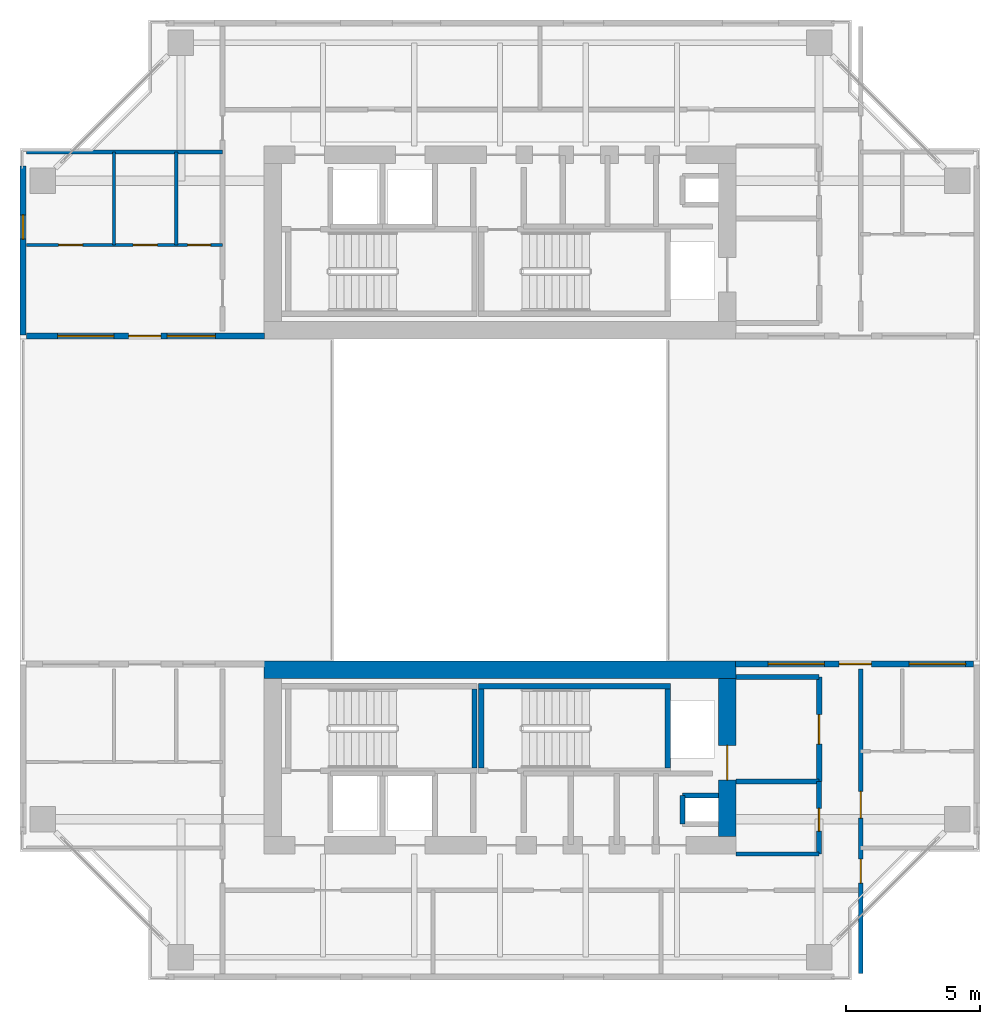
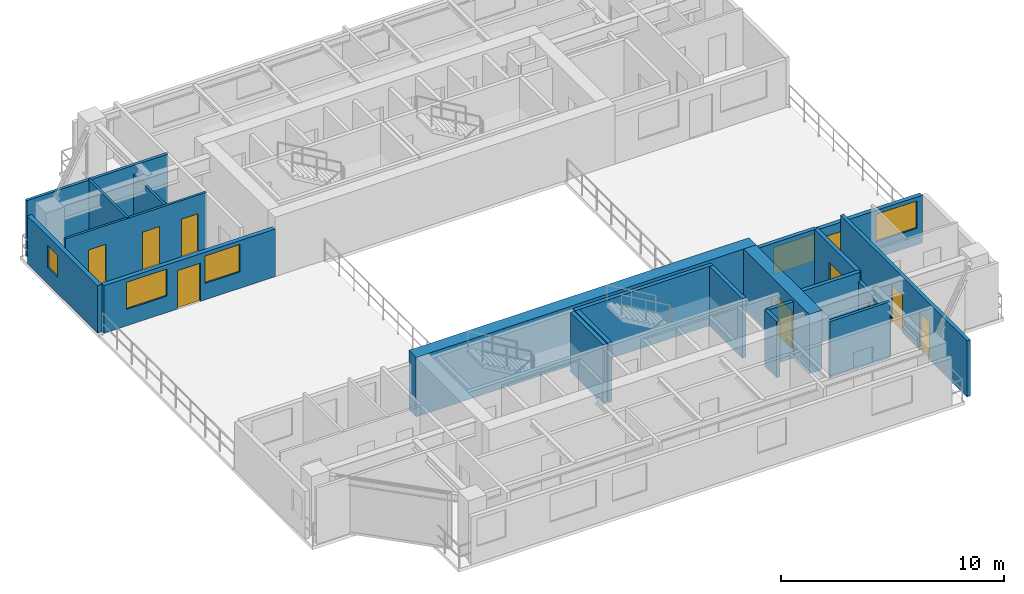
# One storey, part 8 of 14: 21 walls, 10 doors, 5 windows, 15 openings.
"""IFC4 building model written with IfcOpenShell, lengths in metres."""

import ifcopenshell
import ifcopenshell.guid

model = None  # the IFC model being written
_history = None  # IfcOwnerHistory: only IFC2X3 demands one
_inside = {}  # id of a spatial element -> (the spatial element, [elements in it])
_under = {}  # id of a project, library or spatial element -> (it, [spatial elements below it])
_declared = {}  # id of a project -> (the project, [libraries it declares])
_typed = {}  # id of a type object -> (the type object, [elements of that type])
_made_of = {}  # id of a material, layer set ... -> (it, [elements and type objects made of it])


def new_model(schema):
    """Start an empty IFC model of exactly this schema.

    Asked for "IFC4X3", IfcOpenShell would pick the latest addendum, in which some entities
    have other attributes; the version numbers below select the first issue.
    IFC2X3 requires an IfcOwnerHistory on every rooted entity: one is made here for all.
    """
    global model, _history
    if schema == "IFC4X3":
        model = ifcopenshell.file(schema_version=(4, 3, 0, 0))
    else:
        model = ifcopenshell.file(schema=schema)
    _inside.clear()
    _under.clear()
    _declared.clear()
    _typed.clear()
    _made_of.clear()
    _history = None
    if model.schema == "IFC2X3":
        org = make("IfcOrganization", Name="unknown")
        user = make(
            "IfcPersonAndOrganization",
            ThePerson=make("IfcPerson", FamilyName="unknown"),
            TheOrganization=org,
        )
        app = make(
            "IfcApplication",
            ApplicationDeveloper=org,
            Version="unknown",
            ApplicationFullName="unknown",
            ApplicationIdentifier="unknown",
        )
        _history = make(
            "IfcOwnerHistory",
            OwningUser=user,
            OwningApplication=app,
            ChangeAction="ADDED",
            CreationDate=0,
        )
    return model


def make(cls, **values):
    """One entity of the class cls with the attributes given. An attribute that is None is left unset."""
    return model.create_entity(
        cls, **{name: value for name, value in values.items() if value is not None}
    )


def rooted(cls, **values):
    """An entity with a GlobalId (a new one), such as an element, a storey or a relation."""
    return make(cls, GlobalId=ifcopenshell.guid.new(), OwnerHistory=_history, **values)


def si_unit(unit_type, name, prefix=None):
    """IfcSIUnit, for example si_unit("LENGTHUNIT", "METRE", prefix="MILLI")."""
    return make("IfcSIUnit", UnitType=unit_type, Prefix=prefix, Name=name)


def assignment(units):
    """IfcUnitAssignment: the units of a project."""
    return None if units is None else make("IfcUnitAssignment", Units=units)


def point(xyz):
    """IfcCartesianPoint."""
    return None if xyz is None else make("IfcCartesianPoint", Coordinates=xyz)


def direction(xyz):
    """IfcDirection."""
    return None if xyz is None else make("IfcDirection", DirectionRatios=xyz)


def frame(location, z_axis=None, x_axis=None):
    """IfcAxis2Placement3D, a coordinate frame: its origin and axes. An axis left out is left unset."""
    return make(
        "IfcAxis2Placement3D",
        Location=point(location),
        Axis=direction(z_axis),
        RefDirection=direction(x_axis),
    )


def frame_2d(location, x_axis=None):
    """IfcAxis2Placement2D, a coordinate frame in the plane: its origin and x axis."""
    return make(
        "IfcAxis2Placement2D", Location=point(location), RefDirection=direction(x_axis)
    )


def origin():
    """The frame at (0, 0, 0) with its axes left unset."""
    return frame((0.0, 0.0, 0.0))


def place(relative_to, where):
    """IfcLocalPlacement: puts the frame where relative to a parent placement (None: the world)."""
    return make(
        "IfcLocalPlacement", PlacementRelTo=relative_to, RelativePlacement=where
    )


def context(
    kind, dimensions, precision=None, world=None, true_north=None, identifier=None
):
    """IfcGeometricRepresentationContext, for example the 3D "Model" context."""
    return make(
        "IfcGeometricRepresentationContext",
        ContextIdentifier=identifier,
        ContextType=kind,
        CoordinateSpaceDimension=dimensions,
        Precision=precision,
        WorldCoordinateSystem=world,
        TrueNorth=true_north,
    )


def subcontext(parent, identifier, kind, view, scale=None):
    """IfcGeometricRepresentationSubContext, for example "Body" below "Model"."""
    return make(
        "IfcGeometricRepresentationSubContext",
        ContextIdentifier=identifier,
        ContextType=kind,
        ParentContext=parent,
        TargetScale=scale,
        TargetView=view,
    )


def project(units=None, contexts=None):
    """IfcProject with its units and contexts."""
    return rooted(
        "IfcProject",
        Name="project",
        RepresentationContexts=contexts,
        UnitsInContext=assignment(units),
    )


def spatial(cls, under=None, at=None, **own):
    """A site, building, storey or space (cls), placed at a placement, below another one or the project."""
    s = rooted(cls, ObjectPlacement=at, **own)
    if under is not None:
        _under.setdefault(under.id(), (under, []))[1].append(s)
    return s


def profile(cls, at=None, kind="AREA", **sizes):
    """A parametric profile (cls). Its sizes go by their IFC names, for example OverallWidth=200.0."""
    return make(cls, ProfileType=kind, Position=at, **sizes)


def rectangle(**sizes):
    """IfcRectangleProfileDef."""
    return profile("IfcRectangleProfileDef", **sizes)


def extrude(swept, where, along, depth):
    """IfcExtrudedAreaSolid: the profile swept, set in the frame where, extruded along a direction by depth."""
    return make(
        "IfcExtrudedAreaSolid",
        SweptArea=swept,
        Position=where,
        ExtrudedDirection=direction(along),
        Depth=depth,
    )


def shape(context_of_items, identifier, shape_type, items):
    """IfcShapeRepresentation: the items that make up one representation, for example the "Body"."""
    return make(
        "IfcShapeRepresentation",
        ContextOfItems=context_of_items,
        RepresentationIdentifier=identifier,
        RepresentationType=shape_type,
        Items=items,
    )


def source(mapping_origin, context_of_items, identifier, shape_type, items):
    """IfcRepresentationMap: a shape defined once, which mapped items show again and again."""
    return make(
        "IfcRepresentationMap",
        MappingOrigin=mapping_origin,
        MappedRepresentation=shape(context_of_items, identifier, shape_type, items),
    )


def transform(
    local_origin,
    x_axis=None,
    y_axis=None,
    z_axis=None,
    scale=None,
    scale2=None,
    scale3=None,
    uniform=True,
):
    """IfcCartesianTransformationOperator3D, or its non-uniform kind. x_axis, y_axis, z_axis: its Axis1, 2, 3."""
    if uniform:
        return make(
            "IfcCartesianTransformationOperator3D",
            Axis1=direction(x_axis),
            Axis2=direction(y_axis),
            LocalOrigin=point(local_origin),
            Scale=scale,
            Axis3=direction(z_axis),
        )
    return make(
        "IfcCartesianTransformationOperator3DnonUniform",
        Axis1=direction(x_axis),
        Axis2=direction(y_axis),
        LocalOrigin=point(local_origin),
        Scale=scale,
        Axis3=direction(z_axis),
        Scale2=scale2,
        Scale3=scale3,
    )


def mapped(mapping_source, mapping_target):
    """IfcMappedItem: shows the shape of a source again, moved by a transform."""
    return make(
        "IfcMappedItem", MappingSource=mapping_source, MappingTarget=mapping_target
    )


def material(Name=None, Category=None):
    """IfcMaterial."""
    return make("IfcMaterial", Name=Name, Category=Category)


def layer(
    of_material, thickness, ventilated=None, Name=None, Category=None, Priority=None
):
    """IfcMaterialLayer: one layer of a wall or slab, of a material (None: an air gap)."""
    return make(
        "IfcMaterialLayer",
        Material=of_material,
        LayerThickness=thickness,
        IsVentilated=ventilated,
        Name=Name,
        Category=Category,
        Priority=Priority,
    )


def layer_set(layers, Name=None):
    """IfcMaterialLayerSet."""
    return make("IfcMaterialLayerSet", MaterialLayers=layers, LayerSetName=Name)


def made_of(thing, what):
    """Note that an element or type object is made of a material, layer set ...; save() writes the relation."""
    if what is not None:
        _made_of.setdefault(what.id(), (what, []))[1].append(thing)
    return thing


def type_object(cls, material=None, **own):
    """A type object (cls), such as IfcWallType, which elements share."""
    return made_of(rooted(cls, **own), material)


def element(
    cls,
    number,
    at=None,
    inside=None,
    cuts=None,
    type_object=None,
    material=None,
    context=None,
    identifier="Body",
    shape_type=None,
    held_by="IfcProductDefinitionShape",
    body=None,
    shapes=None,
    **own,
):
    """One element of the class cls, such as IfcWall. Its Tag is "e" and its number.

    at: its placement. inside: the storey or other place that contains it. cuts: it is an
    opening in that element (IfcRelVoidsElement). A single representation is given by context,
    identifier, shape_type and body (its items); several are given by shapes. held_by: the class
    of the entity that holds the representations. save() writes the other relations.
    """
    e = rooted(cls, Tag="e%d" % number, ObjectPlacement=at, **own)
    if body is not None:
        shapes = [shape(context, identifier, shape_type, body)]
    if shapes is not None:
        e.Representation = make(held_by, Representations=shapes)
    if inside is not None:
        _inside.setdefault(inside.id(), (inside, []))[1].append(e)
    if cuts is not None:
        rooted(
            "IfcRelVoidsElement", RelatingBuildingElement=cuts, RelatedOpeningElement=e
        )
    if type_object is not None:
        _typed.setdefault(type_object.id(), (type_object, []))[1].append(e)
    return made_of(e, material)


def fill(opening, filler):
    """IfcRelFillsElement: the door or window that sits in an opening."""
    return rooted(
        "IfcRelFillsElement",
        RelatingOpeningElement=opening,
        RelatedBuildingElement=filler,
    )


def aggregate(whole, parts):
    """IfcRelAggregates: a whole, such as a stair, and the parts it consists of."""
    return rooted("IfcRelAggregates", RelatingObject=whole, RelatedObjects=parts)


def save(model, path):
    """Write the relations noted so far, then the file.

    IfcRelAggregates (storeys below a building ...), IfcRelContainedInSpatialStructure (elements
    in a storey), IfcRelDefinesByType, IfcRelAssociatesMaterial and IfcRelDeclares: one each for
    every whole, place, type object, material and project.
    """
    for whole, parts in _under.values():
        aggregate(whole, parts)
    for where, things in _inside.values():
        rooted(
            "IfcRelContainedInSpatialStructure",
            RelatedElements=things,
            RelatingStructure=where,
        )
    for kind, things in _typed.values():
        rooted("IfcRelDefinesByType", RelatedObjects=things, RelatingType=kind)
    for what, things in _made_of.values():
        rooted("IfcRelAssociatesMaterial", RelatedObjects=things, RelatingMaterial=what)
    for by, libraries in _declared.values():
        rooted("IfcRelDeclares", RelatingContext=by, RelatedDefinitions=libraries)
    model.write(path)


model = new_model("IFC4")

# Units and contexts
model_context = context("Model", 3, precision=1e-05, world=origin(), true_north=direction((0.0, 1.0)))
body_context = subcontext(model_context, "Body", "Model", "MODEL_VIEW")
ifc_project = project(units=[si_unit("LENGTHUNIT", "METRE"), si_unit("AREAUNIT", "SQUARE_METRE"), si_unit("VOLUMEUNIT", "CUBIC_METRE"), si_unit("PLANEANGLEUNIT", "RADIAN"), si_unit("MASSUNIT", "GRAM", prefix="KILO"), si_unit("THERMODYNAMICTEMPERATUREUNIT", "KELVIN"), si_unit("POWERUNIT", "WATT")], contexts=[model_context])

# Site, building, storey
site_placement = place(None, origin())
site = spatial("IfcSite", under=ifc_project, at=site_placement, CompositionType="ELEMENT")
building_placement = place(site_placement, origin())
building = spatial("IfcBuilding", under=site, at=building_placement, Name="Qiaomeng Ring Towers", CompositionType="ELEMENT")
storey_placement = place(building_placement, frame((0.0, 0.0, 153.5)))
storey = spatial("IfcBuildingStorey", under=building, at=storey_placement, Name="L44", CompositionType="ELEMENT", Elevation=153.5)

# Wall, openings, windows, door
ifc_material_1 = material(Name="Precast concrete C40", Category="concrete")
ifc_layer_1 = layer(ifc_material_1, 0.219970703125, Name="Precast concrete C40")
ifc_layer_set_1 = layer_set([ifc_layer_1], Name="Precast concrete C40")
wall_type_1 = type_object("IfcWallType", Name="ARC-WL-EW2", PredefinedType="STANDARD", material=ifc_layer_set_1)
wall_1_placement = place(storey_placement, frame((1.35009765625, 29.110107421875, 0.0), z_axis=(0.0, 0.0, 1.0), x_axis=(1.0, 0.0, 0.0)))
wall_1 = element("IfcWall", 1, at=wall_1_placement, inside=storey, type_object=wall_type_1, Name="L44 Portal Wing Wall NWING-W", PredefinedType="STANDARD", context=body_context, shape_type="SweptSolid", body=[
    extrude(rectangle(XDim=8.869873046875, YDim=0.219970703125, at=frame_2d((4.43505859375, 0.0))), origin(), (0.0, 0.0, 1.0), 2.610107421875),
])
opening_1_placement = place(wall_1_placement, frame((3.800048828125, 0.0, 0.0)))
opening_1 = element("IfcOpeningElement", 2, at=opening_1_placement, cuts=wall_1, Name="Opening BD1", PredefinedType="OPENING", context=body_context, shape_type="SweptSolid", body=[
    extrude(rectangle(XDim=1.199951171875, YDim=2.10009765625, at=frame_2d((0.60009765625, 1.050048828125))), frame((0.0, 0.119873046875, 0.0), z_axis=(0.0, -1.0, 0.0), x_axis=(1.0, 0.0, 0.0)), (0.0, 0.0, 1.0), 0.239990234375),
])
opening_2_placement = place(wall_1_placement, frame((1.14990234375, 0.0, 0.89990234375)))
opening_2 = element("IfcOpeningElement", 3, at=opening_2_placement, cuts=wall_1, Name="Opening WN4", PredefinedType="OPENING", context=body_context, shape_type="SweptSolid", body=[
    extrude(rectangle(XDim=2.10009765625, YDim=1.47998046875, at=frame_2d((1.050048828125, 0.739990234375))), frame((0.0, 0.119873046875, 0.0), z_axis=(0.0, -1.0, 0.0), x_axis=(1.0, 0.0, 0.0)), (0.0, 0.0, 1.0), 0.239990234375),
])
opening_3_placement = place(wall_1_placement, frame((5.235107421875, 0.0, 0.89990234375)))
opening_3 = element("IfcOpeningElement", 4, at=opening_3_placement, cuts=wall_1, Name="Opening WN1", PredefinedType="OPENING", context=body_context, shape_type="SweptSolid", body=[
    extrude(rectangle(XDim=1.800048828125, YDim=1.5, at=frame_2d((0.89990234375, 0.75))), frame((0.0, 0.119873046875, 0.0), z_axis=(0.0, -1.0, 0.0), x_axis=(1.0, 0.0, 0.0)), (0.0, 0.0, 1.0), 0.239990234375),
])
ifc_material_2 = material(Name="Low-E dark-grey laminated double glazing", Category="glass")
window_type_1 = type_object("IfcWindowType", Name="ARC-WN-4", PartitioningType="TRIPLE_PANEL_VERTICAL", PredefinedType="WINDOW", material=ifc_material_2)
shared_shape_1 = source(origin(), body_context, "Body", "SweptSolid", [
    extrude(rectangle(XDim=2.10009765625, YDim=1.47998046875, at=frame_2d((1.050048828125, 0.739990234375))), frame((0.0, 0.030029296875, 0.0), z_axis=(0.0, -1.0, 0.0), x_axis=(1.0, 0.0, 0.0)), (0.0, 0.0, 1.0), 0.06005859375),
])
window_1_placement = place(opening_2_placement, origin())
window_1 = element("IfcWindow", 5, at=window_1_placement, inside=storey, type_object=window_type_1, Name="L44 Exterior Window WN4", OverallHeight=1.47998046875, OverallWidth=2.10009765625, PartitioningType="TRIPLE_PANEL_VERTICAL", PredefinedType="WINDOW", context=body_context, shape_type="MappedRepresentation", body=[
    mapped(shared_shape_1, transform((0.0, 0.0, 0.0), x_axis=(1.0, 0.0, 0.0), y_axis=(0.0, 1.0, 0.0), z_axis=(0.0, 0.0, 1.0), scale=1.0)),
])
fill(opening_2, window_1)
door_type_1 = type_object("IfcDoorType", Name="ARC-DR-BD1", OperationType="NOTDEFINED", PredefinedType="DOOR", material=ifc_material_2)
shared_shape_2 = source(origin(), body_context, "Body", "SweptSolid", [
    extrude(rectangle(XDim=1.199951171875, YDim=2.10009765625, at=frame_2d((0.60009765625, 1.050048828125))), frame((0.0, 0.02490234375, 0.0), z_axis=(0.0, -1.0, 0.0), x_axis=(1.0, 0.0, 0.0)), (0.0, 0.0, 1.0), 0.050048828125),
])
door_1_placement = place(opening_1_placement, frame((1.199951171875, 0.0, 0.0), z_axis=(0.0, 0.0, 1.0), x_axis=(-1.0, 0.0, 0.0)))
door_1 = element("IfcDoor", 6, at=door_1_placement, inside=storey, type_object=door_type_1, Name="L44 Void-Portal Terrace Door NWING-W", OperationType="SINGLE_SWING_LEFT", OverallHeight=2.10009765625, OverallWidth=1.199951171875, PredefinedType="DOOR", context=body_context, shape_type="MappedRepresentation", body=[
    mapped(shared_shape_2, transform((0.0, 0.0, 0.0), x_axis=(1.0, 0.0, 0.0), y_axis=(0.0, 1.0, 0.0), z_axis=(0.0, 0.0, 1.0), scale=1.0)),
])
fill(opening_1, door_1)
window_type_2 = type_object("IfcWindowType", Name="ARC-WN-1", PartitioningType="DOUBLE_PANEL_VERTICAL", PredefinedType="WINDOW", material=ifc_material_2)
shared_shape_3 = source(origin(), body_context, "Body", "SweptSolid", [
    extrude(rectangle(XDim=1.800048828125, YDim=1.5, at=frame_2d((0.89990234375, 0.75))), frame((0.0, 0.030029296875, 0.0), z_axis=(0.0, -1.0, 0.0), x_axis=(1.0, 0.0, 0.0)), (0.0, 0.0, 1.0), 0.06005859375),
])
window_2_placement = place(opening_3_placement, origin())
window_2 = element("IfcWindow", 7, at=window_2_placement, inside=storey, type_object=window_type_2, Name="L44 Exterior Window WN6", OverallHeight=1.5, OverallWidth=1.800048828125, PartitioningType="TRIPLE_PANEL_VERTICAL", PredefinedType="WINDOW", context=body_context, shape_type="MappedRepresentation", body=[
    mapped(shared_shape_3, transform((0.0, 0.0, 0.0), x_axis=(1.0, 0.0, 0.0), y_axis=(0.0, 1.0, 0.0), z_axis=(0.0, 0.0, 1.0), scale=1.0)),
])
fill(opening_3, window_2)

# Wall, opening, window
wall_2_placement = place(storey_placement, frame((1.2099609375, 29.14990234375, 0.0), z_axis=(0.0, 0.0, 1.0), x_axis=(0.0, 1.0, 0.0)))
wall_2 = element("IfcWall", 8, at=wall_2_placement, inside=storey, type_object=wall_type_1, Name="L44 Portal Wing Side Wall NWING-WL", PredefinedType="STANDARD", context=body_context, shape_type="SweptSolid", body=[
    extrude(rectangle(XDim=6.300048828125, YDim=0.219970703125, at=frame_2d((3.14990234375, 0.0))), origin(), (0.0, 0.0, 1.0), 2.610107421875),
])
opening_4_placement = place(wall_2_placement, frame((3.580078125, 0.0, 0.89990234375)))
opening_4 = element("IfcOpeningElement", 9, at=opening_4_placement, cuts=wall_2, Name="Opening WN5", PredefinedType="OPENING", context=body_context, shape_type="SweptSolid", body=[
    extrude(rectangle(XDim=0.89990234375, YDim=1.199951171875, at=frame_2d((0.449951171875, 0.60009765625))), frame((0.0, 0.119873046875, 0.0), z_axis=(0.0, -1.0, 0.0), x_axis=(1.0, 0.0, 0.0)), (0.0, 0.0, 1.0), 0.239990234375),
])
window_type_3 = type_object("IfcWindowType", Name="ARC-WN-5", PartitioningType="SINGLE_PANEL", PredefinedType="WINDOW", material=ifc_material_2)
shared_shape_4 = source(origin(), body_context, "Body", "SweptSolid", [
    extrude(rectangle(XDim=0.89990234375, YDim=1.199951171875, at=frame_2d((0.449951171875, 0.60009765625))), frame((0.0, 0.030029296875, 0.0), z_axis=(0.0, -1.0, 0.0), x_axis=(1.0, 0.0, 0.0)), (0.0, 0.0, 1.0), 0.06005859375),
])
window_3_placement = place(opening_4_placement, origin())
window_3 = element("IfcWindow", 10, at=window_3_placement, inside=storey, type_object=window_type_3, Name="L44 Exterior Window WN5", OverallHeight=1.199951171875, OverallWidth=0.89990234375, PartitioningType="SINGLE_PANEL", PredefinedType="WINDOW", context=body_context, shape_type="MappedRepresentation", body=[
    mapped(shared_shape_4, transform((0.0, 0.0, 0.0), x_axis=(1.0, 0.0, 0.0), y_axis=(0.0, 1.0, 0.0), z_axis=(0.0, 0.0, 1.0), scale=1.0)),
])
fill(opening_4, window_3)

# Wall, openings, windows, door
wall_3_placement = place(storey_placement, frame((27.780029296875, 16.889892578125, 0.0), z_axis=(0.0, 0.0, 1.0), x_axis=(1.0, 0.0, 0.0)))
wall_3 = element("IfcWall", 11, at=wall_3_placement, inside=storey, type_object=wall_type_1, Name="L44 Portal Wing Wall SWING-E", PredefinedType="STANDARD", context=body_context, shape_type="SweptSolid", body=[
    extrude(rectangle(XDim=8.869873046875, YDim=0.219970703125, at=frame_2d((4.43505859375, 0.0))), origin(), (0.0, 0.0, 1.0), 2.610107421875),
])
opening_5_placement = place(wall_3_placement, frame((3.8701171875, 0.0, 0.0)))
opening_5 = element("IfcOpeningElement", 12, at=opening_5_placement, cuts=wall_3, Name="Opening BD1", PredefinedType="OPENING", context=body_context, shape_type="SweptSolid", body=[
    extrude(rectangle(XDim=1.199951171875, YDim=2.10009765625, at=frame_2d((0.60009765625, 1.050048828125))), frame((0.0, 0.119873046875, 0.0), z_axis=(0.0, -1.0, 0.0), x_axis=(1.0, 0.0, 0.0)), (0.0, 0.0, 1.0), 0.239990234375),
])
opening_6_placement = place(wall_3_placement, frame((1.219970703125, 0.0, 0.89990234375)))
opening_6 = element("IfcOpeningElement", 13, at=opening_6_placement, cuts=wall_3, Name="Opening WN4", PredefinedType="OPENING", context=body_context, shape_type="SweptSolid", body=[
    extrude(rectangle(XDim=2.10009765625, YDim=1.47998046875, at=frame_2d((1.050048828125, 0.739990234375))), frame((0.0, 0.119873046875, 0.0), z_axis=(0.0, -1.0, 0.0), x_axis=(1.0, 0.0, 0.0)), (0.0, 0.0, 1.0), 0.239990234375),
])
opening_7_placement = place(wall_3_placement, frame((6.47998046875, 0.0, 0.89990234375)))
opening_7 = element("IfcOpeningElement", 14, at=opening_7_placement, cuts=wall_3, Name="Opening WN4", PredefinedType="OPENING", context=body_context, shape_type="SweptSolid", body=[
    extrude(rectangle(XDim=2.10009765625, YDim=1.5, at=frame_2d((1.050048828125, 0.75))), frame((0.0, 0.119873046875, 0.0), z_axis=(0.0, -1.0, 0.0), x_axis=(1.0, 0.0, 0.0)), (0.0, 0.0, 1.0), 0.239990234375),
])
window_4_placement = place(opening_6_placement, origin())
window_4 = element("IfcWindow", 15, at=window_4_placement, inside=storey, type_object=window_type_1, Name="L44 Exterior Window WN4", OverallHeight=1.47998046875, OverallWidth=2.10009765625, PartitioningType="TRIPLE_PANEL_VERTICAL", PredefinedType="WINDOW", context=body_context, shape_type="MappedRepresentation", body=[
    mapped(shared_shape_1, transform((0.0, 0.0, 0.0), x_axis=(1.0, 0.0, 0.0), y_axis=(0.0, 1.0, 0.0), z_axis=(0.0, 0.0, 1.0), scale=1.0)),
])
fill(opening_6, window_4)
shared_shape_5 = source(origin(), body_context, "Body", "SweptSolid", [
    extrude(rectangle(XDim=2.10009765625, YDim=1.5, at=frame_2d((1.050048828125, 0.75))), frame((0.0, 0.030029296875, 0.0), z_axis=(0.0, -1.0, 0.0), x_axis=(1.0, 0.0, 0.0)), (0.0, 0.0, 1.0), 0.06005859375),
])
window_5_placement = place(opening_7_placement, origin())
window_5 = element("IfcWindow", 16, at=window_5_placement, inside=storey, type_object=window_type_1, Name="L44 Exterior Window WN6", OverallHeight=1.5, OverallWidth=2.10009765625, PartitioningType="TRIPLE_PANEL_VERTICAL", PredefinedType="WINDOW", context=body_context, shape_type="MappedRepresentation", body=[
    mapped(shared_shape_5, transform((0.0, 0.0, 0.0), x_axis=(1.0, 0.0, 0.0), y_axis=(0.0, 1.0, 0.0), z_axis=(0.0, 0.0, 1.0), scale=1.0)),
])
fill(opening_7, window_5)
door_2_placement = place(opening_5_placement, origin())
door_2 = element("IfcDoor", 17, at=door_2_placement, inside=storey, type_object=door_type_1, Name="L44 Void-Portal Terrace Door SWING-E", OperationType="SINGLE_SWING_LEFT", OverallHeight=2.10009765625, OverallWidth=1.199951171875, PredefinedType="DOOR", context=body_context, shape_type="MappedRepresentation", body=[
    mapped(shared_shape_2, transform((0.0, 0.0, 0.0), x_axis=(1.0, 0.0, 0.0), y_axis=(0.0, 1.0, 0.0), z_axis=(0.0, 0.0, 1.0), scale=1.0)),
])
fill(opening_5, door_2)

# Walls
ifc_material_3 = material(Name="Autoclaved aerated concrete block", Category="concrete")
ifc_layer_2 = layer(ifc_material_3, 0.199951171875, Name="Autoclaved aerated concrete block")
ifc_layer_set_2 = layer_set([ifc_layer_2], Name="Autoclaved aerated concrete block")
wall_type_2 = type_object("IfcWallType", Name="ARC-WL-PW1", PredefinedType="PARTITIONING", material=ifc_layer_set_2)
for number, where, z_axis, x_axis, name in (
    (18, (27.800048828125, 16.39990234375, 0.0), (0.0, 0.0, 1.0), (1.0, 0.0, 0.0), "L44 Interior Wall PW1"),
    (19, (27.800048828125, 12.5, 0.0), (0.0, 0.0, 1.0), (1.0, 0.0, 0.0), "L44 Interior Wall PW1"),
):
    element("IfcWall", number, at=place(storey_placement, frame(where, z_axis=z_axis, x_axis=x_axis)), inside=storey, type_object=wall_type_2, Name=name, PredefinedType="PARTITIONING", context=body_context, shape_type="SweptSolid", body=[
        extrude(rectangle(XDim=3.099853515625, YDim=0.199951171875, at=frame_2d((1.5498046875, 0.0))), origin(), (0.0, 0.0, 1.0), 3.070068359375),
    ])

# Wall, opening, door
wall_4_placement = place(storey_placement, frame((30.89990234375, 12.5, 0.0), z_axis=(0.0, 0.0, 1.0), x_axis=(0.0, 1.0, 0.0)))
wall_4 = element("IfcWall", 20, at=wall_4_placement, inside=storey, type_object=wall_type_2, Name="L44 Interior Wall PW1", PredefinedType="PARTITIONING", context=body_context, shape_type="SweptSolid", body=[
    extrude(rectangle(XDim=3.89990234375, YDim=0.199951171875, at=frame_2d((1.949951171875, 0.0))), origin(), (0.0, 0.0, 1.0), 3.070068359375),
])
opening_8_placement = place(wall_4_placement, frame((1.39990234375, 0.0, 0.0)))
opening_8 = element("IfcOpeningElement", 21, at=opening_8_placement, cuts=wall_4, Name="Opening FD3", PredefinedType="OPENING", context=body_context, shape_type="SweptSolid", body=[
    extrude(rectangle(XDim=1.10009765625, YDim=2.050048828125, at=frame_2d((0.550048828125, 1.02490234375))), frame((0.0, 0.10986328125, 0.0), z_axis=(0.0, -1.0, 0.0), x_axis=(1.0, 0.0, 0.0)), (0.0, 0.0, 1.0), 0.219970703125),
])
ifc_material_4 = material(Name="Galvanised steel", Category="steel")
door_type_2 = type_object("IfcDoorType", Name="ARC-DR-FD3", OperationType="NOTDEFINED", PredefinedType="DOOR", material=ifc_material_4)
shared_shape_6 = source(origin(), body_context, "Body", "SweptSolid", [
    extrude(rectangle(XDim=1.10009765625, YDim=2.050048828125, at=frame_2d((0.550048828125, 1.02490234375))), frame((0.0, 0.02490234375, 0.0), z_axis=(0.0, -1.0, 0.0), x_axis=(1.0, 0.0, 0.0)), (0.0, 0.0, 1.0), 0.050048828125),
])
door_3_placement = place(opening_8_placement, origin())
door_3 = element("IfcDoor", 22, at=door_3_placement, inside=storey, type_object=door_type_2, Name="L44 South FF Lobby Door", OperationType="SINGLE_SWING_RIGHT", OverallHeight=2.050048828125, OverallWidth=1.10009765625, PredefinedType="DOOR", context=body_context, shape_type="MappedRepresentation", body=[
    mapped(shared_shape_6, transform((0.0, 0.0, 0.0), x_axis=(1.0, 0.0, 0.0), y_axis=(0.0, 1.0, 0.0), z_axis=(0.0, 0.0, 1.0), scale=1.0)),
])
fill(opening_8, door_3)

ifc_layer_3 = layer(ifc_material_3, 0.179931640625, Name="Autoclaved aerated concrete block")
ifc_layer_set_3 = layer_set([ifc_layer_3], Name="Autoclaved aerated concrete block")
wall_type_3 = type_object("IfcWallType", Name="ARC-WL-PW2", PredefinedType="PARTITIONING", material=ifc_layer_set_3)
wall_5_placement = place(storey_placement, frame((30.89990234375, 9.800048828125, 0.0), z_axis=(0.0, 0.0, 1.0), x_axis=(0.0, 1.0, 0.0)))
wall_5 = element("IfcWall", 23, at=wall_5_placement, inside=storey, type_object=wall_type_3, Name="L44 Interior Wall PW2", PredefinedType="PARTITIONING", context=body_context, shape_type="SweptSolid", body=[
    extrude(rectangle(XDim=2.699951171875, YDim=0.179931640625, at=frame_2d((1.35009765625, 0.0))), origin(), (0.0, 0.0, 1.0), 2.576904296875),
])
opening_9_placement = place(wall_5_placement, frame((0.85009765625, 0.0, 0.0)))
opening_9 = element("IfcOpeningElement", 24, at=opening_9_placement, cuts=wall_5, Name="Opening ID2", PredefinedType="OPENING", context=body_context, shape_type="SweptSolid", body=[
    extrude(rectangle(XDim=0.85009765625, YDim=2.050048828125, at=frame_2d((0.425048828125, 1.02490234375))), frame((0.0, 0.099853515625, 0.0), z_axis=(0.0, -1.0, 0.0), x_axis=(1.0, 0.0, 0.0)), (0.0, 0.0, 1.0), 0.199951171875),
])
ifc_material_5 = material(Name="Moisture-resistant engineered timber", Category="wood")
door_type_3 = type_object("IfcDoorType", Name="ARC-DR-ID2", OperationType="NOTDEFINED", PredefinedType="DOOR", material=ifc_material_5)
shared_shape_7 = source(origin(), body_context, "Body", "SweptSolid", [
    extrude(rectangle(XDim=0.85009765625, YDim=2.050048828125, at=frame_2d((0.425048828125, 1.02490234375))), frame((0.0, 0.02490234375, 0.0), z_axis=(0.0, -1.0, 0.0), x_axis=(1.0, 0.0, 0.0)), (0.0, 0.0, 1.0), 0.050048828125),
])
door_4_placement = place(opening_9_placement, origin())
door_4 = element("IfcDoor", 25, at=door_4_placement, inside=storey, type_object=door_type_3, Name="L44 Door ID2", OperationType="SINGLE_SWING_RIGHT", OverallHeight=2.050048828125, OverallWidth=0.85009765625, PredefinedType="DOOR", context=body_context, shape_type="MappedRepresentation", body=[
    mapped(shared_shape_7, transform((0.0, 0.0, 0.0), x_axis=(1.0, 0.0, 0.0), y_axis=(0.0, 1.0, 0.0), z_axis=(0.0, 0.0, 1.0), scale=1.0)),
])
fill(opening_9, door_4)

# Wall, openings, doors
wall_6_placement = place(storey_placement, frame((32.449951171875, 5.35009765625, 0.0), z_axis=(0.0, 0.0, 1.0), x_axis=(0.0, 1.0, 0.0)))
wall_6 = element("IfcWall", 26, at=wall_6_placement, inside=storey, type_object=wall_type_3, Name="L44 Interior Wall PW2", PredefinedType="PARTITIONING", context=body_context, shape_type="SweptSolid", body=[
    extrude(rectangle(XDim=11.349853515625, YDim=0.179931640625, at=frame_2d((5.6748046875, 0.0))), origin(), (0.0, 0.0, 1.0), 3.070068359375),
])
opening_10_placement = place(wall_6_placement, frame((3.360107421875, 0.0, 0.0)))
opening_10 = element("IfcOpeningElement", 27, at=opening_10_placement, cuts=wall_6, Name="Opening ID1", PredefinedType="OPENING", context=body_context, shape_type="SweptSolid", body=[
    extrude(rectangle(XDim=0.89990234375, YDim=2.050048828125, at=frame_2d((0.449951171875, 1.02490234375))), frame((0.0, 0.099853515625, 0.0), z_axis=(0.0, -1.0, 0.0), x_axis=(1.0, 0.0, 0.0)), (0.0, 0.0, 1.0), 0.199951171875),
])
opening_11_placement = place(wall_6_placement, frame((5.784912109375, 0.0, 0.0)))
opening_11 = element("IfcOpeningElement", 28, at=opening_11_placement, cuts=wall_6, Name="Opening FD4", PredefinedType="OPENING", context=body_context, shape_type="SweptSolid", body=[
    extrude(rectangle(XDim=1.0, YDim=2.050048828125, at=frame_2d((0.5, 1.02490234375))), frame((0.0, 0.099853515625, 0.0), z_axis=(0.0, -1.0, 0.0), x_axis=(1.0, 0.0, 0.0)), (0.0, 0.0, 1.0), 0.199951171875),
])
ifc_material_6 = material(Name="Engineered fire-rated oak timber", Category="wood")
door_type_4 = type_object("IfcDoorType", Name="ARC-DR-FD4", OperationType="NOTDEFINED", PredefinedType="DOOR", material=ifc_material_6)
shared_shape_8 = source(origin(), body_context, "Body", "SweptSolid", [
    extrude(rectangle(XDim=1.0, YDim=2.050048828125, at=frame_2d((0.5, 1.02490234375))), frame((0.0, 0.02490234375, 0.0), z_axis=(0.0, -1.0, 0.0), x_axis=(1.0, 0.0, 0.0)), (0.0, 0.0, 1.0), 0.050048828125),
])
door_5_placement = place(opening_11_placement, origin())
door_5 = element("IfcDoor", 29, at=door_5_placement, inside=storey, type_object=door_type_4, Name="L44 Door FD4", OperationType="SINGLE_SWING_RIGHT", OverallHeight=2.050048828125, OverallWidth=1.0, PredefinedType="DOOR", context=body_context, shape_type="MappedRepresentation", body=[
    mapped(shared_shape_8, transform((0.0, 0.0, 0.0), x_axis=(1.0, 0.0, 0.0), y_axis=(0.0, 1.0, 0.0), z_axis=(0.0, 0.0, 1.0), scale=1.0)),
])
fill(opening_11, door_5)
ifc_material_7 = material(Name="Engineered oak timber", Category="wood")
door_type_5 = type_object("IfcDoorType", Name="ARC-DR-ID1", OperationType="NOTDEFINED", PredefinedType="DOOR", material=ifc_material_7)
shared_shape_9 = source(origin(), body_context, "Body", "SweptSolid", [
    extrude(rectangle(XDim=0.89990234375, YDim=2.050048828125, at=frame_2d((0.449951171875, 1.02490234375))), frame((0.0, 0.02490234375, 0.0), z_axis=(0.0, -1.0, 0.0), x_axis=(1.0, 0.0, 0.0)), (0.0, 0.0, 1.0), 0.050048828125),
])
door_6_placement = place(opening_10_placement, origin())
door_6 = element("IfcDoor", 30, at=door_6_placement, inside=storey, type_object=door_type_5, Name="L44 Door ID1", OperationType="SINGLE_SWING_LEFT", OverallHeight=2.050048828125, OverallWidth=0.89990234375, PredefinedType="DOOR", context=body_context, shape_type="MappedRepresentation", body=[
    mapped(shared_shape_9, transform((0.0, 0.0, 0.0), x_axis=(1.0, 0.0, 0.0), y_axis=(0.0, 1.0, 0.0), z_axis=(0.0, 0.0, 1.0), scale=1.0)),
])
fill(opening_10, door_6)

# Walls
ifc_material_8 = material(Name="Gypsum fireboard steel-stud partition", Category="steel")
ifc_layer_4 = layer(ifc_material_8, 0.14990234375, Name="Gypsum fireboard steel-stud partition")
ifc_layer_set_4 = layer_set([ifc_layer_4], Name="Gypsum fireboard steel-stud partition")
wall_type_4 = type_object("IfcWallType", Name="ARC-WL-PW3", PredefinedType="PARTITIONING", material=ifc_layer_set_4)
wall_7_placement = place(storey_placement, frame((27.800048828125, 9.800048828125, 0.0), z_axis=(0.0, 0.0, 1.0), x_axis=(1.0, 0.0, 0.0)))
element("IfcWall", 31, at=wall_7_placement, inside=storey, type_object=wall_type_4, Name="L44 Interior Wall PW3", PredefinedType="PARTITIONING", context=body_context, shape_type="SweptSolid", body=[
    extrude(rectangle(XDim=3.099853515625, YDim=0.14990234375, at=frame_2d((1.5498046875, 0.0))), origin(), (0.0, 0.0, 1.0), 3.070068359375),
])
wall_8_placement = place(storey_placement, frame((1.35009765625, 35.97998046875, 0.0), z_axis=(0.0, 0.0, 1.0), x_axis=(1.0, 0.0, 0.0)))
element("IfcWall", 32, at=wall_8_placement, inside=storey, type_object=wall_type_4, Name="L44 Interior Wall PW3", PredefinedType="PARTITIONING", context=body_context, shape_type="SweptSolid", body=[
    extrude(rectangle(XDim=7.2998046875, YDim=0.14990234375, at=frame_2d((3.64990234375, 0.0))), origin(), (0.0, 0.0, 1.0), 3.070068359375),
])

# Wall, openings, doors
ifc_material_9 = material(Name="Moisture-resistant gypsum steel-stud partition", Category="steel")
ifc_layer_5 = layer(ifc_material_9, 0.1201171875, Name="Moisture-resistant gypsum steel-stud partition")
ifc_layer_set_5 = layer_set([ifc_layer_5], Name="Moisture-resistant gypsum steel-stud partition")
wall_type_5 = type_object("IfcWallType", Name="ARC-WL-PW4", PredefinedType="PLUMBINGWALL", material=ifc_layer_set_5)
wall_9_placement = place(storey_placement, frame((1.35009765625, 32.510009765625, 0.0), z_axis=(0.0, 0.0, 1.0), x_axis=(1.0, 0.0, 0.0)))
wall_9 = element("IfcWall", 33, at=wall_9_placement, inside=storey, type_object=wall_type_5, Name="L44 Interior Wall PW4", PredefinedType="PLUMBINGWALL", context=body_context, shape_type="SweptSolid", body=[
    extrude(rectangle(XDim=7.2998046875, YDim=0.1201171875, at=frame_2d((3.64990234375, 0.0))), origin(), (0.0, 0.0, 1.0), 3.070068359375),
])
opening_12_placement = place(wall_9_placement, frame((1.18994140625, 0.0, 0.0)))
opening_12 = element("IfcOpeningElement", 34, at=opening_12_placement, cuts=wall_9, Name="Opening ID1", PredefinedType="OPENING", context=body_context, shape_type="SweptSolid", body=[
    extrude(rectangle(XDim=0.89990234375, YDim=2.050048828125, at=frame_2d((0.449951171875, 1.02490234375))), frame((0.0, 0.070068359375, 0.0), z_axis=(0.0, -1.0, 0.0), x_axis=(1.0, 0.0, 0.0)), (0.0, 0.0, 1.0), 0.14013671875),
])
opening_13_placement = place(wall_9_placement, frame((3.969970703125, 0.0, 0.0)))
opening_13 = element("IfcOpeningElement", 35, at=opening_13_placement, cuts=wall_9, Name="Opening ID1", PredefinedType="OPENING", context=body_context, shape_type="SweptSolid", body=[
    extrude(rectangle(XDim=0.89990234375, YDim=2.050048828125, at=frame_2d((0.449951171875, 1.02490234375))), frame((0.0, 0.070068359375, 0.0), z_axis=(0.0, -1.0, 0.0), x_axis=(1.0, 0.0, 0.0)), (0.0, 0.0, 1.0), 0.14013671875),
])
opening_14_placement = place(wall_9_placement, frame((6.0048828125, 0.0, 0.0)))
opening_14 = element("IfcOpeningElement", 36, at=opening_14_placement, cuts=wall_9, Name="Opening ID2", PredefinedType="OPENING", context=body_context, shape_type="SweptSolid", body=[
    extrude(rectangle(XDim=0.85009765625, YDim=2.050048828125, at=frame_2d((0.425048828125, 1.02490234375))), frame((0.0, 0.070068359375, 0.0), z_axis=(0.0, -1.0, 0.0), x_axis=(1.0, 0.0, 0.0)), (0.0, 0.0, 1.0), 0.14013671875),
])
door_7_placement = place(opening_14_placement, origin())
door_7 = element("IfcDoor", 37, at=door_7_placement, inside=storey, type_object=door_type_3, Name="L44 Door ID2", OperationType="SINGLE_SWING_LEFT", OverallHeight=2.050048828125, OverallWidth=0.85009765625, PredefinedType="DOOR", context=body_context, shape_type="MappedRepresentation", body=[
    mapped(shared_shape_7, transform((0.0, 0.0, 0.0), x_axis=(1.0, 0.0, 0.0), y_axis=(0.0, 1.0, 0.0), z_axis=(0.0, 0.0, 1.0), scale=1.0)),
])
fill(opening_14, door_7)
door_8_placement = place(opening_12_placement, origin())
door_8 = element("IfcDoor", 38, at=door_8_placement, inside=storey, type_object=door_type_5, Name="L44 Door ID1", OperationType="SINGLE_SWING_LEFT", OverallHeight=2.050048828125, OverallWidth=0.89990234375, PredefinedType="DOOR", context=body_context, shape_type="MappedRepresentation", body=[
    mapped(shared_shape_9, transform((0.0, 0.0, 0.0), x_axis=(1.0, 0.0, 0.0), y_axis=(0.0, 1.0, 0.0), z_axis=(0.0, 0.0, 1.0), scale=1.0)),
])
fill(opening_12, door_8)
door_9_placement = place(opening_13_placement, origin())
door_9 = element("IfcDoor", 39, at=door_9_placement, inside=storey, type_object=door_type_5, Name="L44 Door ID1", OperationType="SINGLE_SWING_RIGHT", OverallHeight=2.050048828125, OverallWidth=0.89990234375, PredefinedType="DOOR", context=body_context, shape_type="MappedRepresentation", body=[
    mapped(shared_shape_9, transform((0.0, 0.0, 0.0), x_axis=(1.0, 0.0, 0.0), y_axis=(0.0, 1.0, 0.0), z_axis=(0.0, 0.0, 1.0), scale=1.0)),
])
fill(opening_13, door_9)

# Walls
wall_10_placement = place(storey_placement, frame((4.610107421875, 32.510009765625, 0.0), z_axis=(0.0, 0.0, 1.0), x_axis=(0.0, 1.0, 0.0)))
element("IfcWall", 40, at=wall_10_placement, inside=storey, type_object=wall_type_5, Name="L44 Interior Wall PW4", PredefinedType="PLUMBINGWALL", context=body_context, shape_type="SweptSolid", body=[
    extrude(rectangle(XDim=3.469970703125, YDim=0.1201171875, at=frame_2d((1.73486328125, 0.0))), origin(), (0.0, 0.0, 1.0), 3.070068359375),
])
wall_11_placement = place(storey_placement, frame((6.929931640625, 32.510009765625, 0.0), z_axis=(0.0, 0.0, 1.0), x_axis=(0.0, 1.0, 0.0)))
element("IfcWall", 41, at=wall_11_placement, inside=storey, type_object=wall_type_5, Name="L44 Interior Wall PW4", PredefinedType="PLUMBINGWALL", context=body_context, shape_type="SweptSolid", body=[
    extrude(rectangle(XDim=3.469970703125, YDim=0.1201171875, at=frame_2d((1.73486328125, 0.0))), origin(), (0.0, 0.0, 1.0), 2.576904296875),
])
ifc_material_10 = material(Name="Concrete C40", Category="concrete")
ifc_layer_6 = layer(ifc_material_10, 0.199951171875, Name="Concrete C40")
ifc_layer_set_6 = layer_set([ifc_layer_6], Name="Concrete C40")
wall_type_6 = type_object("IfcWallType", Name="STR-WL-STSHAFT", PredefinedType="SHEAR", material=ifc_layer_set_6)
wall_12_placement = place(storey_placement, frame((25.800048828125, 10.919921875, 0.0), z_axis=(0.0, 0.0, 1.0), x_axis=(0.0, 1.0, 0.0)))
element("IfcWall", 42, at=wall_12_placement, inside=storey, type_object=wall_type_6, Name="L44 Riser RSR1 West Shaft Wall S", PredefinedType="SHEAR", context=body_context, shape_type="SweptSolid", body=[
    extrude(rectangle(XDim=1.06005859375, YDim=0.179931640625, at=frame_2d((0.530029296875, 0.0))), origin(), (0.0, 0.0, 1.0), 3.070068359375),
])
wall_13_placement = place(storey_placement, frame((25.800048828125, 11.97998046875, 0.0), z_axis=(0.0, 0.0, 1.0), x_axis=(1.0, 0.0, 0.0)))
element("IfcWall", 43, at=wall_13_placement, inside=storey, type_object=wall_type_6, Name="L44 Riser RSR1 North Shaft Wall S", PredefinedType="SHEAR", context=body_context, shape_type="SweptSolid", body=[
    extrude(rectangle(XDim=1.349853515625, YDim=0.179931640625, at=frame_2d((0.6748046875, 0.0))), origin(), (0.0, 0.0, 1.0), 3.070068359375),
])
wall_14_placement = place(storey_placement, frame((18.050048828125, 13.010009765625, 0.0), z_axis=(0.0, 0.0, 1.0), x_axis=(0.0, 1.0, 0.0)))
element("IfcWall", 44, at=wall_14_placement, inside=storey, type_object=wall_type_6, Name="L44 Stair ST3 East Shaft Shear Wall", PredefinedType="SHEAR", context=body_context, shape_type="SweptSolid", body=[
    extrude(rectangle(XDim=2.93994140625, YDim=0.199951171875, at=frame_2d((1.469970703125, 0.0))), origin(), (0.0, 0.0, 1.0), 3.25),
])
wall_15_placement = place(storey_placement, frame((18.199951171875, 16.050048828125, 0.0), z_axis=(0.0, 0.0, 1.0), x_axis=(1.0, 0.0, 0.0)))
element("IfcWall", 45, at=wall_15_placement, inside=storey, type_object=wall_type_6, Name="L44 Stair ST4 North Shaft Shear Wall", PredefinedType="SHEAR", context=body_context, shape_type="SweptSolid", body=[
    extrude(rectangle(XDim=7.150146484375, YDim=0.199951171875, at=frame_2d((3.5751953125, 0.0))), origin(), (0.0, 0.0, 1.0), 3.25),
])
for number, where, z_axis, x_axis, name in (
    (46, (18.300048828125, 13.010009765625, 0.0), (0.0, 0.0, 1.0), (0.0, 1.0, 0.0), "L44 Stair ST4 West Shaft Shear Wall"),
    (47, (25.25, 13.010009765625, 0.0), (0.0, 0.0, 1.0), (0.0, 1.0, 0.0), "L44 Stair ST4 East Shaft Shear Wall"),
):
    element("IfcWall", number, at=place(storey_placement, frame(where, z_axis=z_axis, x_axis=x_axis)), inside=storey, type_object=wall_type_6, Name=name, PredefinedType="SHEAR", context=body_context, shape_type="SweptSolid", body=[
        extrude(rectangle(XDim=2.93994140625, YDim=0.199951171875, at=frame_2d((1.469970703125, 0.0))), origin(), (0.0, 0.0, 1.0), 3.25),
    ])
ifc_material_11 = material(Name="Concrete C50", Category="concrete")
ifc_layer_7 = layer(ifc_material_11, 0.64990234375, Name="Concrete C50")
ifc_layer_set_7 = layer_set([ifc_layer_7], Name="Concrete C50")
wall_type_7 = type_object("IfcWallType", Name="STR-WL-SW2B", PredefinedType="SHEAR", material=ifc_layer_set_7)
wall_16_placement = place(storey_placement, frame((10.199951171875, 16.675048828125, 0.0), z_axis=(0.0, 0.0, 1.0), x_axis=(1.0, 0.0, 0.0)))
element("IfcWall", 48, at=wall_16_placement, inside=storey, type_object=wall_type_7, Name="L44 T1SC north core shear wall", PredefinedType="SHEAR", context=body_context, shape_type="SweptSolid", body=[
    extrude(rectangle(XDim=17.60009765625, YDim=0.64990234375, at=frame_2d((8.800048828125, 0.0))), origin(), (0.0, 0.0, 1.0), 3.25),
])

# Wall, opening, door
wall_17_placement = place(storey_placement, frame((27.47509765625, 10.449951171875, 0.0), z_axis=(0.0, 0.0, 1.0), x_axis=(0.0, 1.0, 0.0)))
wall_17 = element("IfcWall", 49, at=wall_17_placement, inside=storey, type_object=wall_type_7, Name="L44 T1SC east core shear wall", PredefinedType="SHEAR", context=body_context, shape_type="SweptSolid", body=[
    extrude(rectangle(XDim=5.900146484375, YDim=0.64990234375, at=frame_2d((2.9501953125, 0.0))), origin(), (0.0, 0.0, 1.0), 3.25),
])
opening_15_placement = place(wall_17_placement, frame((2.10009765625, 0.0, 0.0)))
opening_15 = element("IfcOpeningElement", 50, at=opening_15_placement, cuts=wall_17, Name="Opening LD2", PredefinedType="OPENING", context=body_context, shape_type="SweptSolid", body=[
    extrude(rectangle(XDim=1.300048828125, YDim=2.050048828125, at=frame_2d((0.64990234375, 1.02490234375))), frame((0.0, 0.3349609375, 0.0), z_axis=(0.0, -1.0, 0.0), x_axis=(1.0, 0.0, 0.0)), (0.0, 0.0, 1.0), 0.669921875),
])
ifc_material_12 = material(Name="Stainless steel 316", Category="steel")
door_type_6 = type_object("IfcDoorType", Name="ARC-DR-LD2", OperationType="NOTDEFINED", PredefinedType="DOOR", material=ifc_material_12)
shared_shape_10 = source(origin(), body_context, "Body", "SweptSolid", [
    extrude(rectangle(XDim=1.300048828125, YDim=2.050048828125, at=frame_2d((0.64990234375, 1.02490234375))), frame((0.0, 0.02490234375, 0.0), z_axis=(0.0, -1.0, 0.0), x_axis=(1.0, 0.0, 0.0)), (0.0, 0.0, 1.0), 0.050048828125),
])
door_10_placement = place(opening_15_placement, origin())
door_10 = element("IfcDoor", 51, at=door_10_placement, inside=storey, type_object=door_type_6, Name="L44 Firefighting Lift FL2 Landing Door", OperationType="SLIDING_TO_RIGHT", OverallHeight=2.050048828125, OverallWidth=1.300048828125, PredefinedType="DOOR", context=body_context, shape_type="MappedRepresentation", body=[
    mapped(shared_shape_10, transform((0.0, 0.0, 0.0), x_axis=(1.0, 0.0, 0.0), y_axis=(0.0, 1.0, 0.0), z_axis=(0.0, 0.0, 1.0), scale=1.0)),
])
fill(opening_15, door_10)

save(model, "model.ifc")
